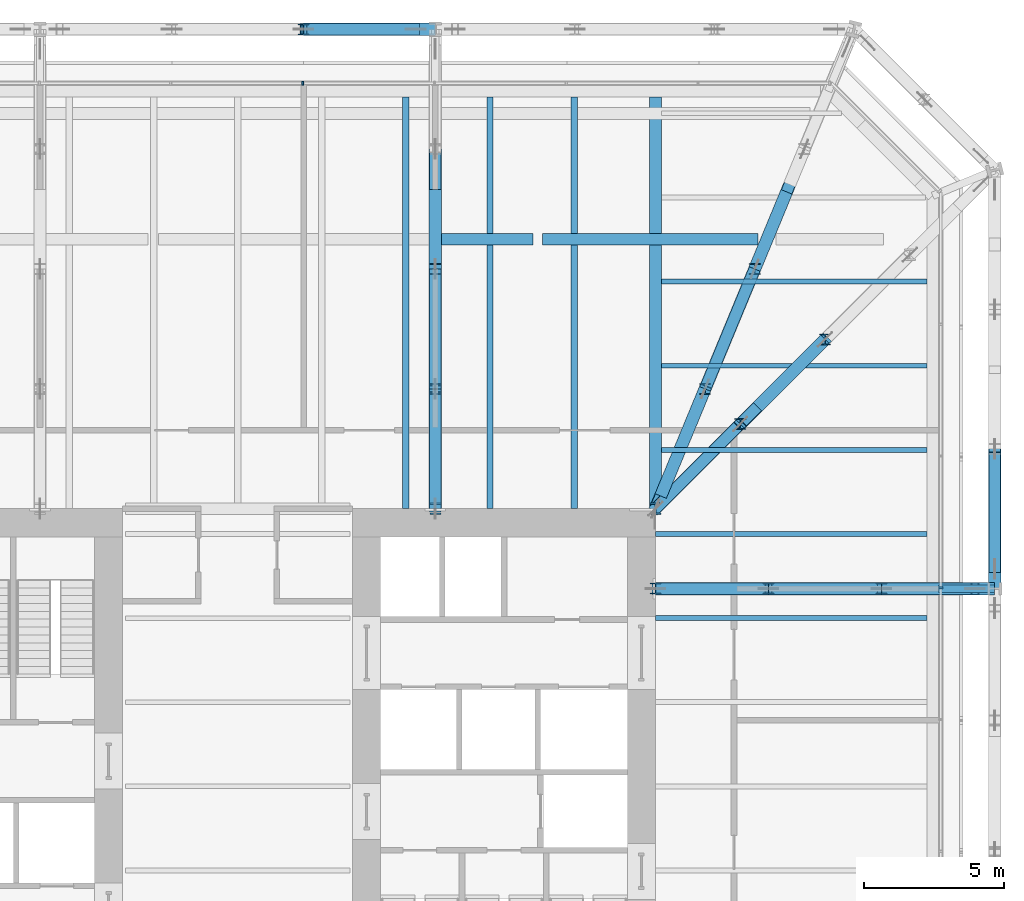
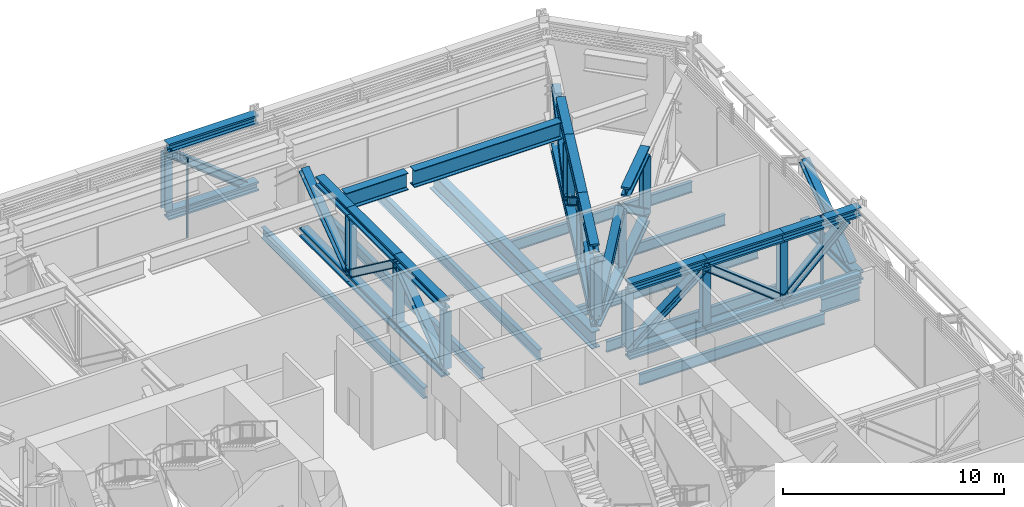
# One storey, part 18 of 33: 36 beams, 27 members, 2 elements without a shape of their own.
"""IFC4 building model written with IfcOpenShell, lengths in metres."""

from ifc_helpers import new_model, si_unit, direction, frame, origin, origin_2d, place, context, subcontext, project, spatial, rectangle, i_section, extrude, material, layer, layer_set, material_profile, profile_set, type_object, element, aggregate, save


model = new_model("IFC4")

# Units and contexts
model_context = context("Model", 3, precision=1e-05, world=origin(), true_north=direction((0.0, 1.0)))
body_context = subcontext(model_context, "Body", "Model", "MODEL_VIEW")
ifc_project = project(units=[si_unit("LENGTHUNIT", "METRE"), si_unit("AREAUNIT", "SQUARE_METRE"), si_unit("VOLUMEUNIT", "CUBIC_METRE"), si_unit("PLANEANGLEUNIT", "RADIAN"), si_unit("MASSUNIT", "GRAM", prefix="KILO")], contexts=[model_context])

# Site, building, storey
site_placement = place(None, origin())
site = spatial("IfcSite", under=ifc_project, at=site_placement, CompositionType="ELEMENT")
building_placement = place(site_placement, origin())
building = spatial("IfcBuilding", under=site, at=building_placement, Name="Millrace Tower", CompositionType="ELEMENT")
storey_placement = place(building_placement, frame((0.0, 0.0, 64.10009765625)))
storey = spatial("IfcBuildingStorey", under=building, at=storey_placement, Name="L14", CompositionType="ELEMENT", Elevation=64.10009765625)

# Beams
ifc_material_1 = material(Name="Steel ASTM A992 Grade 50", Category="steel")
ifc_material_profile_1 = material_profile(ifc_material_1, i_section(OverallWidth=0.436767578125, OverallDepth=0.51318359375, WebThickness=0.060546875, FlangeThickness=0.096923828125, FilletRadius=0.01513671875, at=origin_2d()))
ifc_profile_set_1 = profile_set([ifc_material_profile_1], Name="Steel ASTM A992 Grade 50")
beam_type_1 = type_object("IfcBeamType", Name="Belt truss chord W14x550", PredefinedType="BEAM", material=ifc_profile_set_1)
beam_1_placement = place(storey_placement, frame((27.0, 7.050048828125, 0.25634765625), z_axis=(0.0, 1.0, 0.0), x_axis=(-1.0, 0.0, 0.0)))
element("IfcBeam", 1, at=beam_1_placement, inside=storey, type_object=beam_type_1, Name="BLT-L14-R08-B01", PredefinedType="BEAM", context=body_context, shape_type="SweptSolid", body=[
    extrude(i_section(OverallWidth=0.436767578125, OverallDepth=0.51318359375, WebThickness=0.060546875, FlangeThickness=0.096923828125, FilletRadius=0.01513671875, at=origin_2d()), origin(), (0.0, 0.0, 1.0), 4.97607421875),
])
beam_2_placement = place(storey_placement, frame((7.050048828125, 27.0, 0.25634765625), z_axis=(-1.0, 0.0, 0.0), x_axis=(0.0, -1.0, 0.0)))
element("IfcBeam", 2, at=beam_2_placement, inside=storey, type_object=beam_type_1, Name="BLT-L14-R11-B01", PredefinedType="BEAM", context=body_context, shape_type="SweptSolid", body=[
    extrude(i_section(OverallWidth=0.436767578125, OverallDepth=0.51318359375, WebThickness=0.060546875, FlangeThickness=0.096923828125, FilletRadius=0.01513671875, at=origin_2d()), origin(), (0.0, 0.0, 1.0), 4.699951171875),
])
beam_3_placement = place(storey_placement, frame((7.03271484375, 27.0, 3.943359375), z_axis=(-1.0, 0.0, 0.0), x_axis=(0.0, -1.0, 0.0)))
element("IfcBeam", 3, at=beam_3_placement, inside=storey, type_object=beam_type_1, Name="BLT-L14-R11-T01", PredefinedType="BEAM", context=body_context, shape_type="SweptSolid", body=[
    extrude(i_section(OverallWidth=0.436767578125, OverallDepth=0.51318359375, WebThickness=0.060546875, FlangeThickness=0.096923828125, FilletRadius=0.01513671875, at=origin_2d()), origin(), (0.0, 0.0, 1.0), 4.6826171875),
])

# Members
ifc_material_2 = material(Name="Steel ASTM A992 Grade 50", Category="steel")
ifc_material_profile_2 = material_profile(ifc_material_2, i_section(OverallWidth=0.40380859375, OverallDepth=0.406494140625, WebThickness=0.027099609375, FlangeThickness=0.043701171875, FilletRadius=0.01513671875, at=origin_2d()))
ifc_profile_set_2 = profile_set([ifc_material_profile_2], Name="Steel ASTM A992 Grade 50")
member_type_1 = type_object("IfcMemberType", Name="Belt truss diagonal W14x233", PredefinedType="BRACE", material=ifc_profile_set_2)
member_1_placement = place(storey_placement, frame((27.0, 7.75, 0.512939453125), z_axis=(0.0, 0.802988323282, 0.59599475893), x_axis=(-1.0, 0.0, 0.0)))
element("IfcMember", 4, at=member_1_placement, inside=storey, type_object=member_type_1, Name="BLT-L14-R08-D01", PredefinedType="BRACE", context=body_context, shape_type="SweptSolid", body=[
    extrude(i_section(OverallWidth=0.40380859375, OverallDepth=0.406494140625, WebThickness=0.027099609375, FlangeThickness=0.043701171875, FilletRadius=0.01513671875, at=origin_2d()), origin(), (0.0, 0.0, 1.0), 5.3251953125),
])
member_2_placement = place(storey_placement, frame((6.35009765625, 27.0, 0.512939453125), z_axis=(-0.783362807967, 0.0, 0.621564728001), x_axis=(0.0, -1.0, 0.0)))
element("IfcMember", 5, at=member_2_placement, inside=storey, type_object=member_type_1, Name="BLT-L14-R11-D01", PredefinedType="BRACE", context=body_context, shape_type="SweptSolid", body=[
    extrude(i_section(OverallWidth=0.40380859375, OverallDepth=0.406494140625, WebThickness=0.027099609375, FlangeThickness=0.043701171875, FilletRadius=0.01513671875, at=origin_2d()), origin(), (0.0, 0.0, 1.0), 5.106201171875),
])
ifc_material_3 = material(Name="Steel ASTM A992 Grade 50", Category="steel")
ifc_material_profile_3 = material_profile(ifc_material_3, i_section(OverallWidth=0.398681640625, OverallDepth=0.393798828125, WebThickness=0.022705078125, FlangeThickness=0.03662109375, FilletRadius=0.01513671875, at=origin_2d()))
ifc_profile_set_3 = profile_set([ifc_material_profile_3], Name="Steel ASTM A992 Grade 50")
member_type_2 = type_object("IfcMemberType", Name="Belt truss post W14x193", PredefinedType="POST", material=ifc_profile_set_3)
member_3_placement = place(storey_placement, frame((2.35009765625, 27.0, 0.512939453125), z_axis=(0.0, 0.0, 1.0), x_axis=(1.0, 0.0, 0.0)))
element("IfcMember", 6, at=member_3_placement, inside=storey, type_object=member_type_2, Name="BLT-L14-R11-V01", PredefinedType="POST", context=body_context, shape_type="SweptSolid", body=[
    extrude(i_section(OverallWidth=0.398681640625, OverallDepth=0.393798828125, WebThickness=0.022705078125, FlangeThickness=0.03662109375, FilletRadius=0.01513671875, at=origin_2d()), origin(), (0.0, 0.0, 1.0), 3.173828125),
])

# Curtain wall, member
ifc_material_4 = material(Name="Aluminium and glass", Category="aluminium")
ifc_layer = layer(ifc_material_4, 0.14990234375)
ifc_layer_set = layer_set([ifc_layer], Name="Aluminium and glass")
curtain_wall_type = type_object("IfcCurtainWallType", Name="CW-5 truss and plant storey louvred infill", PredefinedType="NOTDEFINED", material=ifc_layer_set)
placement = place(storey_placement, origin())
curtain_wall_1 = element("IfcCurtainWall", 7, at=placement, inside=storey, type_object=curtain_wall_type, Name="Curtain wall A-F04 L14", PredefinedType="NOTDEFINED")
ifc_material_5 = material(Name="Aluminium", Category="aluminium")
ifc_material_profile_4 = material_profile(ifc_material_5, rectangle(XDim=0.06494140625, YDim=0.14990234375, at=origin_2d()))
ifc_profile_set_4 = profile_set([ifc_material_profile_4], Name="Aluminium")
member_type_3 = type_object("IfcMemberType", Name="CW-5 truss and plant storey louvred infill mullion", PredefinedType="MULLION", material=ifc_profile_set_4)
member_4_placement = place(storey_placement, frame((25.074951171875, 7.08251953125, 0.139892578125), z_axis=(0.0, 0.0, 1.0), x_axis=(0.0, 1.0, 0.0)))
member_4 = element("IfcMember", 8, at=member_4_placement, type_object=member_type_3, Name="CW5 mullion A-F04.7", PredefinedType="MULLION", context=body_context, shape_type="SweptSolid", body=[
    extrude(rectangle(XDim=0.06494140625, YDim=0.14990234375, at=origin_2d()), origin(), (0.0, 0.0, 1.0), 4.159912109375),
])
aggregate(curtain_wall_1, [member_4])

curtain_wall_2 = element("IfcCurtainWall", 9, at=placement, inside=storey, type_object=curtain_wall_type, Name="Curtain wall A-F06 L14", PredefinedType="NOTDEFINED")
member_5_placement = place(storey_placement, frame((2.3173828125, 25.074951171875, 0.139892578125), z_axis=(0.0, 0.0, 1.0), x_axis=(-1.0, 0.0, 0.0)))
member_5 = element("IfcMember", 10, at=member_5_placement, type_object=member_type_3, Name="CW5 mullion A-F06.5", PredefinedType="MULLION", context=body_context, shape_type="SweptSolid", body=[
    extrude(rectangle(XDim=0.06494140625, YDim=0.14990234375, at=origin_2d()), origin(), (0.0, 0.0, 1.0), 4.360107421875),
])
aggregate(curtain_wall_2, [member_5])

# Beams
ifc_material_6 = material(Name="Steel ASTM A992 Grade 50", Category="steel")
ifc_material_profile_5 = material_profile(ifc_material_6, i_section(OverallWidth=0.177978515625, OverallDepth=0.599365234375, WebThickness=0.010009765625, FlangeThickness=0.012939453125, FilletRadius=0.012939453125, at=origin_2d()))
ifc_profile_set_5 = profile_set([ifc_material_profile_5], Name="Steel ASTM A992 Grade 50")
beam_type_2 = type_object("IfcBeamType", Name="Floor beam W24x55", PredefinedType="JOIST", material=ifc_profile_set_5)
for number, where, z_axis, x_axis, name in (
    (11, (14.89990234375, 6.0, -0.5498046875), (1.0, 0.0, 0.0), (0.0, 1.0, 0.0), "BM-A-L14-S1-S028"),
    (12, (14.89990234375, 9.0, -0.5498046875), (1.0, 0.0, 0.0), (0.0, 1.0, 0.0), "BM-A-L14-S1-S031"),
):
    element("IfcBeam", number, at=place(storey_placement, frame(where, z_axis=z_axis, x_axis=x_axis)), inside=storey, type_object=beam_type_2, Name=name, PredefinedType="JOIST", context=body_context, shape_type="SweptSolid", body=[
        extrude(i_section(OverallWidth=0.177978515625, OverallDepth=0.599365234375, WebThickness=0.010009765625, FlangeThickness=0.012939453125, FilletRadius=0.012939453125, at=origin_2d()), origin(), (0.0, 0.0, 1.0), 9.678466796875),
    ])
for number, where, z_axis, x_axis, name in (
    (13, (15.112060546875, 12.0, -0.5498046875), (1.0, 0.0, 0.0), (0.0, 1.0, 0.0), "BM-A-L14-S1-S033"),
    (14, (15.112060546875, 15.0, -0.5498046875), (1.0, 0.0, 0.0), (0.0, 1.0, 0.0), "BM-A-L14-S1-S035"),
    (15, (15.112060546875, 18.0, -0.5498046875), (1.0, 0.0, 0.0), (0.0, 1.0, 0.0), "BM-A-L14-S1-S037"),
):
    element("IfcBeam", number, at=place(storey_placement, frame(where, z_axis=z_axis, x_axis=x_axis)), inside=storey, type_object=beam_type_2, Name=name, PredefinedType="JOIST", context=body_context, shape_type="SweptSolid", body=[
        extrude(i_section(OverallWidth=0.177978515625, OverallDepth=0.599365234375, WebThickness=0.010009765625, FlangeThickness=0.012939453125, FilletRadius=0.012939453125, at=origin_2d()), origin(), (0.0, 0.0, 1.0), 9.46630859375),
    ])
ifc_material_7 = material(Name="Steel ASTM A992 Grade 50", Category="steel")
ifc_material_profile_6 = material_profile(ifc_material_7, i_section(OverallWidth=0.228271484375, OverallDepth=0.607177734375, WebThickness=0.01123046875, FlangeThickness=0.017333984375, FilletRadius=0.0126953125, at=origin_2d()))
ifc_profile_set_6 = profile_set([ifc_material_profile_6], Name="Steel ASTM A992 Grade 50")
beam_type_3 = type_object("IfcBeamType", Name="Floor beam W24x76", PredefinedType="JOIST", material=ifc_profile_set_6)
for number, where, z_axis, x_axis, name in (
    (16, (6.0, 9.89990234375, -0.5537109375), (0.0, 1.0, 0.0), (-1.0, 0.0, 0.0), "BM-A-L14-S1-S054"),
    (17, (9.0, 9.89990234375, -0.5537109375), (0.0, 1.0, 0.0), (-1.0, 0.0, 0.0), "BM-A-L14-S1-S056"),
    (18, (12.0, 9.89990234375, -0.5537109375), (0.0, 1.0, 0.0), (-1.0, 0.0, 0.0), "BM-A-L14-S1-S058"),
):
    element("IfcBeam", number, at=place(storey_placement, frame(where, z_axis=z_axis, x_axis=x_axis)), inside=storey, type_object=beam_type_3, Name=name, PredefinedType="JOIST", context=body_context, shape_type="SweptSolid", body=[
        extrude(i_section(OverallWidth=0.228271484375, OverallDepth=0.607177734375, WebThickness=0.01123046875, FlangeThickness=0.017333984375, FilletRadius=0.0126953125, at=origin_2d()), origin(), (0.0, 0.0, 1.0), 14.678466796875),
    ])
ifc_material_8 = material(Name="Steel ASTM A992 Grade 50", Category="steel")
ifc_material_profile_7 = material_profile(ifc_material_8, i_section(OverallWidth=0.424072265625, OverallDepth=0.947509765625, WebThickness=0.02392578125, FlangeThickness=0.042724609375, FilletRadius=0.024169921875, at=origin_2d()))
ifc_profile_set_7 = profile_set([ifc_material_profile_7], Name="Steel ASTM A992 Grade 50")
beam_type_4 = type_object("IfcBeamType", Name="Girder medium span W36x302", PredefinedType="BEAM", material=ifc_profile_set_7)
beam_4_placement = place(storey_placement, frame((14.89990234375, 9.89990234375, -0.723876953125), z_axis=(0.0, 1.0, 0.0), x_axis=(-1.0, 0.0, 0.0)))
element("IfcBeam", 19, at=beam_4_placement, inside=storey, type_object=beam_type_4, Name="BM-A-L14-S1-G062", PredefinedType="BEAM", context=body_context, shape_type="SweptSolid", body=[
    extrude(i_section(OverallWidth=0.424072265625, OverallDepth=0.947509765625, WebThickness=0.02392578125, FlangeThickness=0.042724609375, FilletRadius=0.024169921875, at=origin_2d()), origin(), (0.0, 0.0, 1.0), 14.678466796875),
])
ifc_material_9 = material(Name="Steel ASTM A992 Grade 50", Category="steel")
ifc_material_profile_8 = material_profile(ifc_material_9, i_section(OverallWidth=0.2666015625, OverallDepth=0.7568359375, WebThickness=0.013916015625, FlangeThickness=0.019287109375, FilletRadius=0.0166015625, at=origin_2d()))
ifc_profile_set_8 = profile_set([ifc_material_profile_8], Name="Steel ASTM A992 Grade 50")
beam_type_5 = type_object("IfcBeamType", Name="Link beam W30x108", PredefinedType="BEAM", material=ifc_profile_set_8)
beam_5_placement = place(storey_placement, frame((25.0, 7.050048828125, -0.628662109375), z_axis=(1.0, 0.0, 0.0), x_axis=(0.0, 1.0, 0.0)))
element("IfcBeam", 20, at=beam_5_placement, inside=storey, type_object=beam_type_5, Name="LNK-A-L14-S1-10", PredefinedType="BEAM", context=body_context, shape_type="SweptSolid", body=[
    extrude(i_section(OverallWidth=0.2666015625, OverallDepth=0.7568359375, WebThickness=0.013916015625, FlangeThickness=0.019287109375, FilletRadius=0.0166015625, at=origin_2d()), origin(), (0.0, 0.0, 1.0), 2.0),
])
ifc_material_10 = material(Name="Steel ASTM A992 Grade 50", Category="steel")
ifc_material_profile_9 = material_profile(ifc_material_10, i_section(OverallWidth=0.436767578125, OverallDepth=0.51318359375, WebThickness=0.060546875, FlangeThickness=0.096923828125, FilletRadius=0.01513671875, at=origin_2d()))
ifc_profile_set_9 = profile_set([ifc_material_profile_9], Name="Steel ASTM A992 Grade 50")
beam_type_6 = type_object("IfcBeamType", Name="Outrigger truss chord W14x550", PredefinedType="BEAM", material=ifc_profile_set_9)
for number, where, z_axis, x_axis, name in (
    (21, (14.89990234375, 7.050048828125, 0.25634765625), (1.0, 0.0, 0.0), (0.0, 1.0, 0.0), "BLT-L14-O08-B01"),
    (22, (14.89990234375, 7.050048828125, 3.943359375), (1.0, 0.0, 0.0), (0.0, 1.0, 0.0), "BLT-L14-O08-T01"),
):
    element("IfcBeam", number, at=place(storey_placement, frame(where, z_axis=z_axis, x_axis=x_axis)), inside=storey, type_object=beam_type_6, Name=name, PredefinedType="BEAM", context=body_context, shape_type="SweptSolid", body=[
        extrude(i_section(OverallWidth=0.436767578125, OverallDepth=0.51318359375, WebThickness=0.060546875, FlangeThickness=0.096923828125, FilletRadius=0.01513671875, at=origin_2d()), origin(), (0.0, 0.0, 1.0), 4.033447265625),
    ])
for number, where, z_axis, x_axis, name in (
    (23, (18.933349609375, 7.050048828125, 0.25634765625), (1.0, 0.0, 0.0), (0.0, 1.0, 0.0), "BLT-L14-O08-B02"),
    (24, (18.933349609375, 7.050048828125, 3.943359375), (1.0, 0.0, 0.0), (0.0, 1.0, 0.0), "BLT-L14-O08-T02"),
):
    element("IfcBeam", number, at=place(storey_placement, frame(where, z_axis=z_axis, x_axis=x_axis)), inside=storey, type_object=beam_type_6, Name=name, PredefinedType="BEAM", context=body_context, shape_type="SweptSolid", body=[
        extrude(i_section(OverallWidth=0.436767578125, OverallDepth=0.51318359375, WebThickness=0.060546875, FlangeThickness=0.096923828125, FilletRadius=0.01513671875, at=origin_2d()), origin(), (0.0, 0.0, 1.0), 4.033203125),
    ])
for number, where, z_axis, x_axis, name in (
    (25, (22.966552734375, 7.050048828125, 0.25634765625), (1.0, 0.0, 0.0), (0.0, 1.0, 0.0), "BLT-L14-O08-B03"),
    (26, (22.966552734375, 7.050048828125, 3.943359375), (1.0, 0.0, 0.0), (0.0, 1.0, 0.0), "BLT-L14-O08-T03"),
):
    element("IfcBeam", number, at=place(storey_placement, frame(where, z_axis=z_axis, x_axis=x_axis)), inside=storey, type_object=beam_type_6, Name=name, PredefinedType="BEAM", context=body_context, shape_type="SweptSolid", body=[
        extrude(i_section(OverallWidth=0.436767578125, OverallDepth=0.51318359375, WebThickness=0.060546875, FlangeThickness=0.096923828125, FilletRadius=0.01513671875, at=origin_2d()), origin(), (0.0, 0.0, 1.0), 4.033447265625),
    ])
beam_6_placement = place(storey_placement, frame((14.89990234375, 9.89990234375, 0.25634765625), z_axis=(0.707734787322, 0.706478216801, 0.0), x_axis=(-0.706478216801, 0.707734787322, 0.0)))
element("IfcBeam", 27, at=beam_6_placement, inside=storey, type_object=beam_type_6, Name="BLT-L14-O09-B01", PredefinedType="BEAM", context=body_context, shape_type="SweptSolid", body=[
    extrude(i_section(OverallWidth=0.436767578125, OverallDepth=0.51318359375, WebThickness=0.060546875, FlangeThickness=0.096923828125, FilletRadius=0.01513671875, at=origin_2d()), origin(), (0.0, 0.0, 1.0), 4.2744140625),
])
beam_7_placement = place(storey_placement, frame((17.925048828125, 12.919677734375, 0.25634765625), z_axis=(0.707734838031, 0.706478166002, 0.0), x_axis=(-0.706478166002, 0.707734838031, 0.0)))
element("IfcBeam", 28, at=beam_7_placement, inside=storey, type_object=beam_type_6, Name="BLT-L14-O09-B02", PredefinedType="BEAM", context=body_context, shape_type="SweptSolid", body=[
    extrude(i_section(OverallWidth=0.436767578125, OverallDepth=0.51318359375, WebThickness=0.060546875, FlangeThickness=0.096923828125, FilletRadius=0.01513671875, at=origin_2d()), origin(), (0.0, 0.0, 1.0), 4.274169921875),
])
beam_8_placement = place(storey_placement, frame((18.5380859375, 13.531494140625, 3.943359375), z_axis=(0.707715445132, 0.706497592863, 0.0), x_axis=(-0.706497592863, 0.707715445132, 0.0)))
element("IfcBeam", 29, at=beam_8_placement, inside=storey, type_object=beam_type_6, Name="BLT-L14-O09-T02", PredefinedType="BEAM", context=body_context, shape_type="SweptSolid", body=[
    extrude(i_section(OverallWidth=0.436767578125, OverallDepth=0.51318359375, WebThickness=0.060546875, FlangeThickness=0.096923828125, FilletRadius=0.01513671875, at=origin_2d()), origin(), (0.0, 0.0, 1.0), 3.407958984375),
])
beam_9_placement = place(storey_placement, frame((14.89990234375, 9.89990234375, 0.25634765625), z_axis=(0.382490047574, 0.923959611404, 0.0), x_axis=(-0.923959611404, 0.382490047574, 0.0)))
element("IfcBeam", 30, at=beam_9_placement, inside=storey, type_object=beam_type_6, Name="BLT-L14-O10-B01", PredefinedType="BEAM", context=body_context, shape_type="SweptSolid", body=[
    extrude(i_section(OverallWidth=0.436767578125, OverallDepth=0.51318359375, WebThickness=0.060546875, FlangeThickness=0.096923828125, FilletRadius=0.01513671875, at=origin_2d()), origin(), (0.0, 0.0, 1.0), 4.626953125),
])
for number, where, z_axis, x_axis, name in (
    (31, (16.669677734375, 14.175048828125, 0.25634765625), (0.382463647717, 0.923970539669, 0.0), (-0.923970539669, 0.382463647717, 0.0), "BLT-L14-O10-B02"),
    (32, (16.669677734375, 14.175048828125, 3.943359375), (0.382463647717, 0.923970539669, 0.0), (-0.923970539669, 0.382463647717, 0.0), "BLT-L14-O10-T02"),
):
    element("IfcBeam", number, at=place(storey_placement, frame(where, z_axis=z_axis, x_axis=x_axis)), inside=storey, type_object=beam_type_6, Name=name, PredefinedType="BEAM", context=body_context, shape_type="SweptSolid", body=[
        extrude(i_section(OverallWidth=0.436767578125, OverallDepth=0.51318359375, WebThickness=0.060546875, FlangeThickness=0.096923828125, FilletRadius=0.01513671875, at=origin_2d()), origin(), (0.0, 0.0, 1.0), 4.626708984375),
    ])
beam_10_placement = place(storey_placement, frame((18.439208984375, 18.449951171875, 0.25634765625), z_axis=(0.382445001063, 0.923978257949, 0.0), x_axis=(-0.923978257949, 0.382445001063, 0.0)))
element("IfcBeam", 33, at=beam_10_placement, inside=storey, type_object=beam_type_6, Name="BLT-L14-O10-B03", PredefinedType="BEAM", context=body_context, shape_type="SweptSolid", body=[
    extrude(i_section(OverallWidth=0.436767578125, OverallDepth=0.51318359375, WebThickness=0.060546875, FlangeThickness=0.096923828125, FilletRadius=0.01513671875, at=origin_2d()), origin(), (0.0, 0.0, 1.0), 4.626953125),
])
for number, where, z_axis, x_axis, name in (
    (34, (7.050048828125, 9.89990234375, 0.25634765625), (0.0, 1.0, 0.0), (-1.0, 0.0, 0.0), "BLT-L14-O11-B01"),
    (35, (7.050048828125, 9.89990234375, 3.943359375), (0.0, 1.0, 0.0), (-1.0, 0.0, 0.0), "BLT-L14-O11-T01"),
):
    element("IfcBeam", number, at=place(storey_placement, frame(where, z_axis=z_axis, x_axis=x_axis)), inside=storey, type_object=beam_type_6, Name=name, PredefinedType="BEAM", context=body_context, shape_type="SweptSolid", body=[
        extrude(i_section(OverallWidth=0.436767578125, OverallDepth=0.51318359375, WebThickness=0.060546875, FlangeThickness=0.096923828125, FilletRadius=0.01513671875, at=origin_2d()), origin(), (0.0, 0.0, 1.0), 4.275146484375),
    ])
for number, where, z_axis, x_axis, name in (
    (36, (7.050048828125, 14.175048828125, 0.25634765625), (0.0, 1.0, 0.0), (-1.0, 0.0, 0.0), "BLT-L14-O11-B02"),
    (37, (7.050048828125, 14.175048828125, 3.943359375), (0.0, 1.0, 0.0), (-1.0, 0.0, 0.0), "BLT-L14-O11-T02"),
):
    element("IfcBeam", number, at=place(storey_placement, frame(where, z_axis=z_axis, x_axis=x_axis)), inside=storey, type_object=beam_type_6, Name=name, PredefinedType="BEAM", context=body_context, shape_type="SweptSolid", body=[
        extrude(i_section(OverallWidth=0.436767578125, OverallDepth=0.51318359375, WebThickness=0.060546875, FlangeThickness=0.096923828125, FilletRadius=0.01513671875, at=origin_2d()), origin(), (0.0, 0.0, 1.0), 4.27490234375),
    ])
beam_11_placement = place(storey_placement, frame((7.050048828125, 18.449951171875, 0.25634765625), z_axis=(0.0, 1.0, 0.0), x_axis=(-1.0, 0.0, 0.0)))
element("IfcBeam", 38, at=beam_11_placement, inside=storey, type_object=beam_type_6, Name="BLT-L14-O11-B03", PredefinedType="BEAM", context=body_context, shape_type="SweptSolid", body=[
    extrude(i_section(OverallWidth=0.436767578125, OverallDepth=0.51318359375, WebThickness=0.060546875, FlangeThickness=0.096923828125, FilletRadius=0.01513671875, at=origin_2d()), origin(), (0.0, 0.0, 1.0), 4.275146484375),
])
beam_12_placement = place(storey_placement, frame((18.439208984375, 18.449951171875, 3.943359375), z_axis=(0.382489384028, 0.923959886091, 0.0), x_axis=(-0.923959886091, 0.382489384028, 0.0)))
element("IfcBeam", 39, at=beam_12_placement, inside=storey, type_object=beam_type_6, Name="BLT-L14-O10-T03-a", PredefinedType="BEAM", context=body_context, shape_type="SweptSolid", body=[
    extrude(i_section(OverallWidth=0.436767578125, OverallDepth=0.51318359375, WebThickness=0.060546875, FlangeThickness=0.096923828125, FilletRadius=0.01513671875, at=origin_2d()), origin(), (0.0, 0.0, 1.0), 2.9775390625),
])
beam_13_placement = place(storey_placement, frame((15.088134765625, 10.354736328125, 3.943359375), z_axis=(0.382501291504, 0.923954956693, 0.0), x_axis=(-0.923954956693, 0.382501291504, 0.0)))
element("IfcBeam", 40, at=beam_13_placement, inside=storey, type_object=beam_type_6, Name="BLT-L14-O10-T01", PredefinedType="BEAM", context=body_context, shape_type="SweptSolid", body=[
    extrude(i_section(OverallWidth=0.436767578125, OverallDepth=0.51318359375, WebThickness=0.060546875, FlangeThickness=0.096923828125, FilletRadius=0.01513671875, at=origin_2d()), origin(), (0.0, 0.0, 1.0), 4.134765625),
])
beam_14_placement = place(storey_placement, frame((7.050048828125, 18.449951171875, 3.943359375), z_axis=(0.0, 1.0, 0.0), x_axis=(-1.0, 0.0, 0.0)))
element("IfcBeam", 41, at=beam_14_placement, inside=storey, type_object=beam_type_6, Name="BLT-L14-O11-T03", PredefinedType="BEAM", context=body_context, shape_type="SweptSolid", body=[
    extrude(i_section(OverallWidth=0.436767578125, OverallDepth=0.51318359375, WebThickness=0.060546875, FlangeThickness=0.096923828125, FilletRadius=0.01513671875, at=origin_2d()), origin(), (0.0, 0.0, 1.0), 2.832763671875),
])

# Members
ifc_material_11 = material(Name="Steel ASTM A992 Grade 50", Category="steel")
ifc_material_profile_10 = material_profile(ifc_material_11, i_section(OverallWidth=0.40380859375, OverallDepth=0.406494140625, WebThickness=0.027099609375, FlangeThickness=0.043701171875, FilletRadius=0.01513671875, at=origin_2d()))
ifc_profile_set_10 = profile_set([ifc_material_profile_10], Name="Steel ASTM A992 Grade 50")
member_type_4 = type_object("IfcMemberType", Name="Outrigger truss diagonal W14x233", PredefinedType="BRACE", material=ifc_profile_set_10)
for number, where, z_axis, x_axis, name in (
    (42, (14.89990234375, 7.050048828125, 0.512939453125), (0.785874115932, 0.0, 0.618386508511), (0.0, 1.0, 0.0), "BLT-L14-O08-D01"),
    (43, (22.966552734375, 7.050048828125, 0.512939453125), (-0.785855924746, 0.0, 0.61840962601), (0.0, -1.0, 0.0), "BLT-L14-O08-D02"),
):
    element("IfcMember", number, at=place(storey_placement, frame(where, z_axis=z_axis, x_axis=x_axis)), inside=storey, type_object=member_type_4, Name=name, PredefinedType="BRACE", context=body_context, shape_type="SweptSolid", body=[
        extrude(i_section(OverallWidth=0.40380859375, OverallDepth=0.406494140625, WebThickness=0.027099609375, FlangeThickness=0.043701171875, FilletRadius=0.01513671875, at=origin_2d()), origin(), (0.0, 0.0, 1.0), 5.13232421875),
    ])
member_6_placement = place(storey_placement, frame((22.966552734375, 7.050048828125, 0.512939453125), z_axis=(0.724238835999, 0.0, 0.689549206678), x_axis=(0.0, 1.0, 0.0)))
element("IfcMember", 44, at=member_6_placement, inside=storey, type_object=member_type_4, Name="BLT-L14-O08-D03", PredefinedType="BRACE", context=body_context, shape_type="SweptSolid", body=[
    extrude(i_section(OverallWidth=0.40380859375, OverallDepth=0.406494140625, WebThickness=0.027099609375, FlangeThickness=0.043701171875, FilletRadius=0.01513671875, at=origin_2d()), origin(), (0.0, 0.0, 1.0), 4.602783203125),
])
member_7_placement = place(storey_placement, frame((14.89990234375, 9.89990234375, 0.512939453125), z_axis=(0.568221724835, 0.567212857274, 0.596149013224), x_axis=(-0.706478216801, 0.707734787322, 0.0)))
element("IfcMember", 45, at=member_7_placement, inside=storey, type_object=member_type_4, Name="BLT-L14-O09-D01", PredefinedType="BRACE", context=body_context, shape_type="SweptSolid", body=[
    extrude(i_section(OverallWidth=0.40380859375, OverallDepth=0.406494140625, WebThickness=0.027099609375, FlangeThickness=0.043701171875, FilletRadius=0.01513671875, at=origin_2d()), origin(), (0.0, 0.0, 1.0), 5.323974609375),
])
member_8_placement = place(storey_placement, frame((20.949951171875, 15.939208984375, 0.512939453125), z_axis=(-0.568205452299, -0.567196532207, 0.596180054874), x_axis=(0.706478166002, -0.707734838031, 0.0)))
element("IfcMember", 46, at=member_8_placement, inside=storey, type_object=member_type_4, Name="BLT-L14-O09-D02", PredefinedType="BRACE", context=body_context, shape_type="SweptSolid", body=[
    extrude(i_section(OverallWidth=0.40380859375, OverallDepth=0.406494140625, WebThickness=0.027099609375, FlangeThickness=0.043701171875, FilletRadius=0.01513671875, at=origin_2d()), origin(), (0.0, 0.0, 1.0), 5.323486328125),
])
member_9_placement = place(storey_placement, frame((14.89990234375, 9.89990234375, 0.512939453125), z_axis=(0.315417539881, 0.761936341683, 0.56565429969), x_axis=(-0.923959611404, 0.382490047574, 0.0)))
element("IfcMember", 47, at=member_9_placement, inside=storey, type_object=member_type_4, Name="BLT-L14-O10-D01", PredefinedType="BRACE", context=body_context, shape_type="SweptSolid", body=[
    extrude(i_section(OverallWidth=0.40380859375, OverallDepth=0.406494140625, WebThickness=0.027099609375, FlangeThickness=0.043701171875, FilletRadius=0.01513671875, at=origin_2d()), origin(), (0.0, 0.0, 1.0), 5.61083984375),
])
member_10_placement = place(storey_placement, frame((18.439208984375, 18.449951171875, 0.512939453125), z_axis=(-0.315388812458, -0.761928546652, 0.565680817046), x_axis=(0.923970539669, -0.382463647717, 0.0)))
element("IfcMember", 48, at=member_10_placement, inside=storey, type_object=member_type_4, Name="BLT-L14-O10-D02", PredefinedType="BRACE", context=body_context, shape_type="SweptSolid", body=[
    extrude(i_section(OverallWidth=0.40380859375, OverallDepth=0.406494140625, WebThickness=0.027099609375, FlangeThickness=0.043701171875, FilletRadius=0.01513671875, at=origin_2d()), origin(), (0.0, 0.0, 1.0), 5.610595703125),
])
member_11_placement = place(storey_placement, frame((18.439208984375, 18.449951171875, 0.512939453125), z_axis=(0.315378356124, 0.761946798301, 0.565662062584), x_axis=(-0.923978257949, 0.382445001063, 0.0)))
element("IfcMember", 49, at=member_11_placement, inside=storey, type_object=member_type_4, Name="BLT-L14-O10-D03", PredefinedType="BRACE", context=body_context, shape_type="SweptSolid", body=[
    extrude(i_section(OverallWidth=0.40380859375, OverallDepth=0.406494140625, WebThickness=0.027099609375, FlangeThickness=0.043701171875, FilletRadius=0.01513671875, at=origin_2d()), origin(), (0.0, 0.0, 1.0), 5.61083984375),
])
member_12_placement = place(storey_placement, frame((7.050048828125, 9.89990234375, 0.512939453125), z_axis=(0.0, 0.802923169461, 0.596082531151), x_axis=(-1.0, 0.0, 0.0)))
element("IfcMember", 50, at=member_12_placement, inside=storey, type_object=member_type_4, Name="BLT-L14-O11-D01", PredefinedType="BRACE", context=body_context, shape_type="SweptSolid", body=[
    extrude(i_section(OverallWidth=0.40380859375, OverallDepth=0.406494140625, WebThickness=0.027099609375, FlangeThickness=0.043701171875, FilletRadius=0.01513671875, at=origin_2d()), origin(), (0.0, 0.0, 1.0), 5.324462890625),
])
member_13_placement = place(storey_placement, frame((7.050048828125, 18.449951171875, 0.512939453125), z_axis=(0.0, -0.802906876507, 0.596104477133), x_axis=(1.0, 0.0, 0.0)))
element("IfcMember", 51, at=member_13_placement, inside=storey, type_object=member_type_4, Name="BLT-L14-O11-D02", PredefinedType="BRACE", context=body_context, shape_type="SweptSolid", body=[
    extrude(i_section(OverallWidth=0.40380859375, OverallDepth=0.406494140625, WebThickness=0.027099609375, FlangeThickness=0.043701171875, FilletRadius=0.01513671875, at=origin_2d()), origin(), (0.0, 0.0, 1.0), 5.32421875),
])
member_14_placement = place(storey_placement, frame((7.050048828125, 18.449951171875, 0.512939453125), z_axis=(0.0, 0.802923169461, 0.596082531151), x_axis=(-1.0, 0.0, 0.0)))
element("IfcMember", 52, at=member_14_placement, inside=storey, type_object=member_type_4, Name="BLT-L14-O11-D03", PredefinedType="BRACE", context=body_context, shape_type="SweptSolid", body=[
    extrude(i_section(OverallWidth=0.40380859375, OverallDepth=0.406494140625, WebThickness=0.027099609375, FlangeThickness=0.043701171875, FilletRadius=0.01513671875, at=origin_2d()), origin(), (0.0, 0.0, 1.0), 5.324462890625),
])
ifc_material_12 = material(Name="Steel ASTM A992 Grade 50", Category="steel")
ifc_material_profile_11 = material_profile(ifc_material_12, i_section(OverallWidth=0.398681640625, OverallDepth=0.393798828125, WebThickness=0.022705078125, FlangeThickness=0.03662109375, FilletRadius=0.01513671875, at=origin_2d()))
ifc_profile_set_11 = profile_set([ifc_material_profile_11], Name="Steel ASTM A992 Grade 50")
member_type_5 = type_object("IfcMemberType", Name="Outrigger truss post W14x193", PredefinedType="POST", material=ifc_profile_set_11)
for number, where, z_axis, x_axis, name in (
    (53, (14.89990234375, 7.050048828125, 0.512939453125), (0.0, 0.0, 1.0), (1.0, 0.0, 0.0), "BLT-L14-O08-V00"),
    (54, (18.933349609375, 7.050048828125, 0.512939453125), (0.0, 0.0, 1.0), (1.0, 0.0, 0.0), "BLT-L14-O08-V01"),
    (55, (22.966552734375, 7.050048828125, 0.512939453125), (0.0, 0.0, 1.0), (1.0, 0.0, 0.0), "BLT-L14-O08-V02"),
    (56, (14.89990234375, 9.89990234375, 0.512939453125), (0.0, 0.0, 1.0), (1.0, 0.0, 0.0), "BLT-L14-O09-V00"),
    (57, (17.925048828125, 12.919677734375, 0.512939453125), (0.0, 0.0, 1.0), (1.0, 0.0, 0.0), "BLT-L14-O09-V01"),
    (58, (20.949951171875, 15.939208984375, 0.512939453125), (0.0, 0.0, 1.0), (1.0, 0.0, 0.0), "BLT-L14-O09-V02"),
    (59, (16.669677734375, 14.175048828125, 0.512939453125), (0.0, 0.0, 1.0), (1.0, 0.0, 0.0), "BLT-L14-O10-V01"),
    (60, (18.439208984375, 18.449951171875, 0.512939453125), (0.0, 0.0, 1.0), (1.0, 0.0, 0.0), "BLT-L14-O10-V02"),
    (61, (7.050048828125, 9.89990234375, 0.512939453125), (0.0, 0.0, 1.0), (1.0, 0.0, 0.0), "BLT-L14-O11-V00"),
    (62, (7.050048828125, 14.175048828125, 0.512939453125), (0.0, 0.0, 1.0), (1.0, 0.0, 0.0), "BLT-L14-O11-V01"),
    (63, (7.050048828125, 18.449951171875, 0.512939453125), (0.0, 0.0, 1.0), (1.0, 0.0, 0.0), "BLT-L14-O11-V02"),
):
    element("IfcMember", number, at=place(storey_placement, frame(where, z_axis=z_axis, x_axis=x_axis)), inside=storey, type_object=member_type_5, Name=name, PredefinedType="POST", context=body_context, shape_type="SweptSolid", body=[
        extrude(i_section(OverallWidth=0.398681640625, OverallDepth=0.393798828125, WebThickness=0.022705078125, FlangeThickness=0.03662109375, FilletRadius=0.01513671875, at=origin_2d()), origin(), (0.0, 0.0, 1.0), 3.173828125),
    ])

# Beams
ifc_material_13 = material(Name="Steel ASTM A992 Grade 50", Category="steel")
ifc_material_profile_12 = material_profile(ifc_material_13, i_section(OverallWidth=0.421630859375, OverallDepth=0.937255859375, WebThickness=0.021240234375, FlangeThickness=0.03662109375, FilletRadius=0.024169921875, at=origin_2d()))
ifc_profile_set_12 = profile_set([ifc_material_profile_12], Name="Steel ASTM A992 Grade 50")
beam_type_7 = type_object("IfcBeamType", Name="Ring beam short span W36x262", PredefinedType="SPANDREL", material=ifc_profile_set_12)
beam_15_placement = place(storey_placement, frame((18.5537109375, 19.5107421875, 3.831298828125), z_axis=(-1.0, 0.0, 0.0), x_axis=(0.0, -1.0, 0.0)))
element("IfcBeam", 64, at=beam_15_placement, inside=storey, type_object=beam_type_7, Name="RNG-A-L14-R1-11-b-a-a", PredefinedType="SPANDREL", context=body_context, shape_type="SweptSolid", body=[
    extrude(i_section(OverallWidth=0.421630859375, OverallDepth=0.937255859375, WebThickness=0.021240234375, FlangeThickness=0.03662109375, FilletRadius=0.024169921875, at=origin_2d()), origin(), (0.0, 0.0, 1.0), 7.689697265625),
])
beam_16_placement = place(storey_placement, frame((10.535888671875, 19.5107421875, 3.831298828125), z_axis=(-1.0, 0.0, 0.0), x_axis=(0.0, -1.0, 0.0)))
element("IfcBeam", 65, at=beam_16_placement, inside=storey, type_object=beam_type_7, Name="RNG-A-L14-R1-11-b-a-b", PredefinedType="SPANDREL", context=body_context, shape_type="SweptSolid", body=[
    extrude(i_section(OverallWidth=0.421630859375, OverallDepth=0.937255859375, WebThickness=0.021240234375, FlangeThickness=0.03662109375, FilletRadius=0.024169921875, at=origin_2d()), origin(), (0.0, 0.0, 1.0), 3.2646484375),
])

save(model, "model.ifc")
